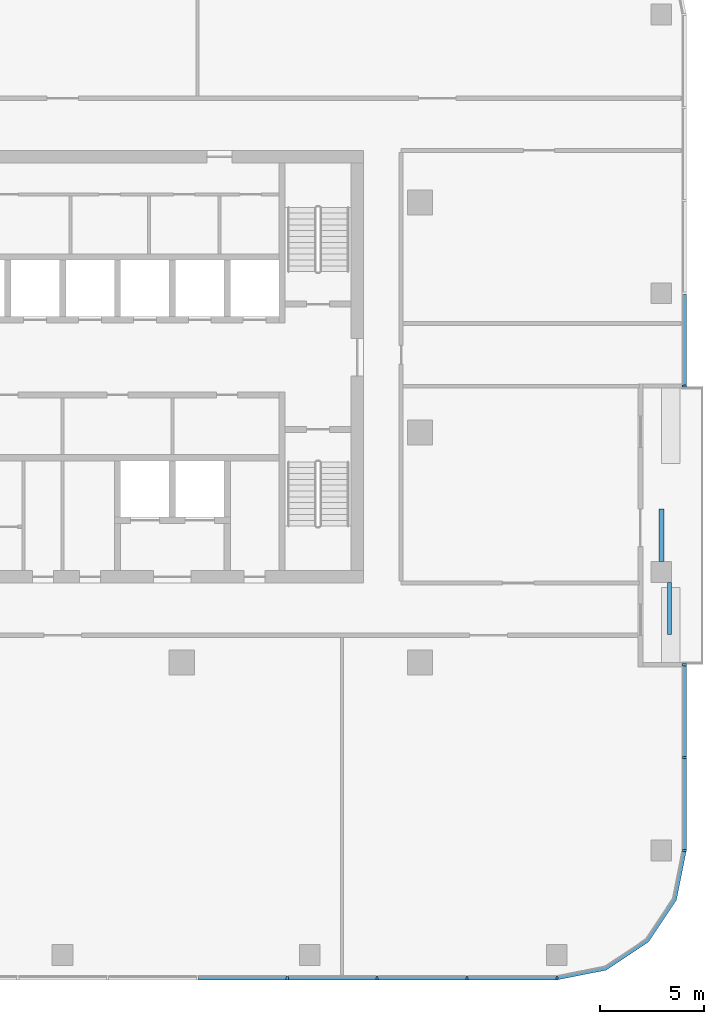
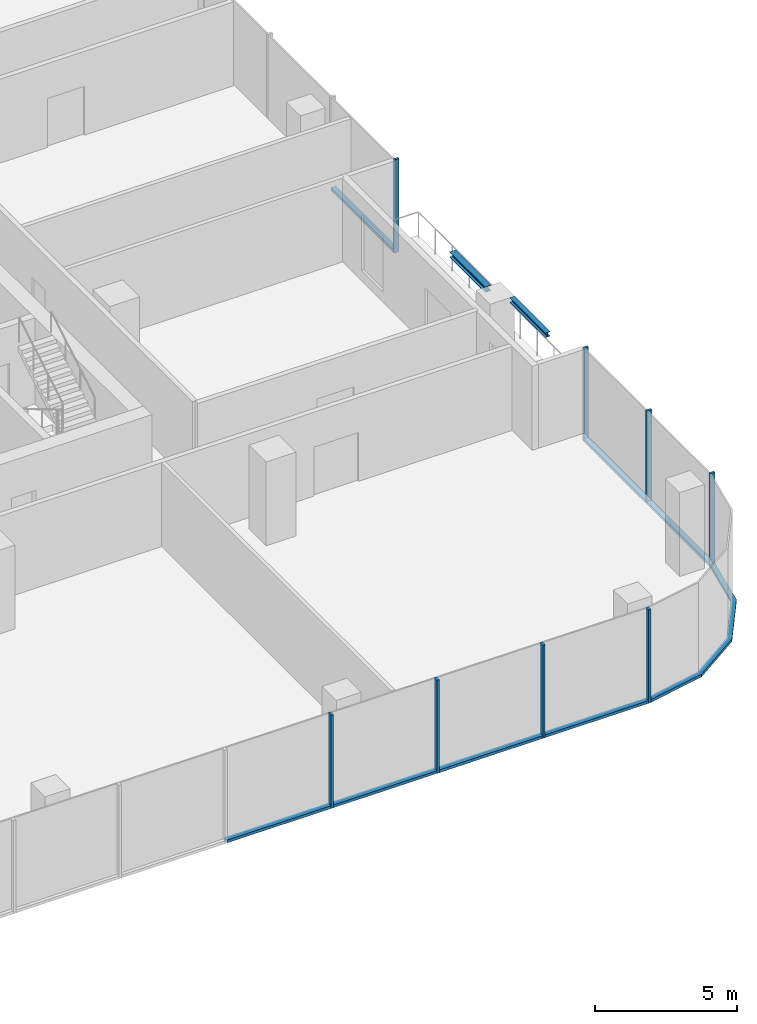
# One storey, part 3 of 13: 16 members, 2 beams, 4 elements without a shape of their own.
"""IFC4 building model written with IfcOpenShell, lengths in metres."""

from ifc_helpers import new_model, si_unit, direction, frame, origin, origin_2d, place, context, subcontext, project, spatial, polyline, rectangle, i_section, outline, extrude, material, material_profile, profile_set, type_object, element, aggregate, save


model = new_model("IFC4")

# Units and contexts
model_context = context("Model", 3, precision=1e-05, world=origin(), true_north=direction((0.0, 1.0)))
body_context = subcontext(model_context, "Body", "Model", "MODEL_VIEW")
ifc_project = project(units=[si_unit("LENGTHUNIT", "METRE"), si_unit("AREAUNIT", "SQUARE_METRE"), si_unit("VOLUMEUNIT", "CUBIC_METRE"), si_unit("PLANEANGLEUNIT", "RADIAN"), si_unit("MASSUNIT", "GRAM", prefix="KILO")], contexts=[model_context])

# Site, building, storey
site_placement = place(None, origin())
site = spatial("IfcSite", under=ifc_project, at=site_placement, CompositionType="ELEMENT")
building_placement = place(site_placement, origin())
building = spatial("IfcBuilding", under=site, at=building_placement, Name="Mopane Tessera Tower", CompositionType="ELEMENT")
storey_placement = place(building_placement, frame((0.0, 0.0, 271.39990234375)))
storey = spatial("IfcBuildingStorey", under=building, at=storey_placement, Name="L58", CompositionType="ELEMENT", Elevation=271.39990234375)

# Curtain wall, members
ifc_material_1 = material(Name="Aluminium frame", Category="aluminium")
curtain_wall_type = type_object("IfcCurtainWallType", Name="Unitised curtain wall", PredefinedType="NOTDEFINED", material=ifc_material_1)
curtain_wall_1_placement = place(storey_placement, origin())
curtain_wall_1 = element("IfcCurtainWall", 1, at=curtain_wall_1_placement, inside=storey, type_object=curtain_wall_type, Name="e:cw:L58:S:0", PredefinedType="NOTDEFINED")
ifc_material_2 = material(Name="Aluminium frame", Category="aluminium")
ifc_material_profile_1 = material_profile(ifc_material_2, rectangle(XDim=0.10009765625, YDim=0.199951171875, at=origin_2d()))
ifc_profile_set_1 = profile_set([ifc_material_profile_1], Name="Aluminium frame")
member_type_1 = type_object("IfcMemberType", Name="Aluminium mullion 100 x 200", PredefinedType="MULLION", material=ifc_profile_set_1)
member_1_placement = place(storey_placement, frame((10.75, -26.10009765625, -0.39990234375), z_axis=(0.0, 0.0, 1.0), x_axis=(1.0, 0.0, 0.0)))
member_1 = element("IfcMember", 2, at=member_1_placement, type_object=member_type_1, Name="e:cw:L58:S:0:mu8", PredefinedType="MULLION", context=body_context, shape_type="SweptSolid", body=[
    extrude(rectangle(XDim=0.10009765625, YDim=0.199951171875, at=origin_2d()), origin(), (0.0, 0.0, 1.0), 4.0),
])
member_2_placement = place(storey_placement, frame((15.050048828125, -26.10009765625, -0.39990234375), z_axis=(0.0, 0.0, 1.0), x_axis=(1.0, 0.0, 0.0)))
member_2 = element("IfcMember", 3, at=member_2_placement, type_object=member_type_1, Name="e:cw:L58:S:0:mu9", PredefinedType="MULLION", context=body_context, shape_type="SweptSolid", body=[
    extrude(rectangle(XDim=0.10009765625, YDim=0.199951171875, at=origin_2d()), origin(), (0.0, 0.0, 1.0), 4.0),
])
member_3_placement = place(storey_placement, frame((19.35009765625, -26.10009765625, -0.39990234375), z_axis=(0.0, 0.0, 1.0), x_axis=(1.0, 0.0, 0.0)))
member_3 = element("IfcMember", 4, at=member_3_placement, type_object=member_type_1, Name="e:cw:L58:S:0:mu10", PredefinedType="MULLION", context=body_context, shape_type="SweptSolid", body=[
    extrude(rectangle(XDim=0.10009765625, YDim=0.199951171875, at=origin_2d()), origin(), (0.0, 0.0, 1.0), 4.0),
])
member_4_placement = place(storey_placement, frame((23.64990234375, -26.10009765625, -0.39990234375), z_axis=(0.0, 0.0, 1.0), x_axis=(1.0, 0.0, 0.0)))
member_4 = element("IfcMember", 5, at=member_4_placement, type_object=member_type_1, Name="e:cw:L58:S:0:mu11", PredefinedType="MULLION", context=body_context, shape_type="SweptSolid", body=[
    extrude(rectangle(XDim=0.10009765625, YDim=0.199951171875, at=origin_2d()), origin(), (0.0, 0.0, 1.0), 4.0),
])

curtain_wall_2_placement = place(storey_placement, origin())
curtain_wall_2 = element("IfcCurtainWall", 6, at=curtain_wall_2_placement, inside=storey, type_object=curtain_wall_type, Name="e:cw:L58:E:0", PredefinedType="NOTDEFINED")
member_5_placement = place(storey_placement, frame((29.75, -20.0, -0.39990234375), z_axis=(0.0, 0.0, 1.0), x_axis=(0.0, 1.0, 0.0)))
member_5 = element("IfcMember", 7, at=member_5_placement, type_object=member_type_1, Name="e:cw:L58:E:0:mu0", PredefinedType="MULLION", context=body_context, shape_type="SweptSolid", body=[
    extrude(rectangle(XDim=0.10009765625, YDim=0.199951171875, at=origin_2d()), origin(), (0.0, 0.0, 1.0), 4.0),
])
member_6_placement = place(storey_placement, frame((29.75, -15.5556640625, -0.39990234375), z_axis=(0.0, 0.0, 1.0), x_axis=(0.0, 1.0, 0.0)))
member_6 = element("IfcMember", 8, at=member_6_placement, type_object=member_type_1, Name="e:cw:L58:E:0:mu1", PredefinedType="MULLION", context=body_context, shape_type="SweptSolid", body=[
    extrude(rectangle(XDim=0.10009765625, YDim=0.199951171875, at=origin_2d()), origin(), (0.0, 0.0, 1.0), 4.0),
])
member_7_placement = place(storey_placement, frame((29.75, -11.111083984375, -0.39990234375), z_axis=(0.0, 0.0, 1.0), x_axis=(0.0, 1.0, 0.0)))
member_7 = element("IfcMember", 9, at=member_7_placement, type_object=member_type_1, Name="e:cw:L58:E:0:mu2", PredefinedType="MULLION", context=body_context, shape_type="SweptSolid", body=[
    extrude(rectangle(XDim=0.10009765625, YDim=0.199951171875, at=origin_2d()), origin(), (0.0, 0.0, 1.0), 4.0),
])

# Curtain wall, member
curtain_wall_3_placement = place(storey_placement, origin())
curtain_wall_3 = element("IfcCurtainWall", 10, at=curtain_wall_3_placement, inside=storey, type_object=curtain_wall_type, Name="e:cw:L58:E:5", PredefinedType="NOTDEFINED")
member_8_placement = place(storey_placement, frame((29.75, 2.22216796875, -0.39990234375), z_axis=(0.0, 0.0, 1.0), x_axis=(0.0, 1.0, 0.0)))
member_8 = element("IfcMember", 11, at=member_8_placement, type_object=member_type_1, Name="e:cw:L58:E:5:mu5", PredefinedType="MULLION", context=body_context, shape_type="SweptSolid", body=[
    extrude(rectangle(XDim=0.10009765625, YDim=0.199951171875, at=origin_2d()), origin(), (0.0, 0.0, 1.0), 4.0),
])

# Member
ifc_material_3 = material(Name="Aluminium frame", Category="aluminium")
ifc_material_profile_2 = material_profile(ifc_material_3, rectangle(XDim=0.199951171875, YDim=0.1201171875, at=origin_2d()))
ifc_profile_set_2 = profile_set([ifc_material_profile_2], Name="Aluminium frame")
member_type_2 = type_object("IfcMemberType", Name="Aluminium transom 200 x 120", PredefinedType="USERDEFINED", material=ifc_profile_set_2)
member_9_placement = place(storey_placement, frame((6.5, -26.10009765625, -0.33984375), z_axis=(1.0, 0.0, 0.0), x_axis=(0.0, 1.0, 0.0)))
member_9 = element("IfcMember", 12, at=member_9_placement, type_object=member_type_2, Name="e:cw:L58:S:0:tr7", ObjectType="TRANSOM", PredefinedType="USERDEFINED", context=body_context, shape_type="SweptSolid", body=[
    extrude(rectangle(XDim=0.199951171875, YDim=0.1201171875, at=origin_2d()), origin(), (0.0, 0.0, 1.0), 4.199951171875),
])

member_10_placement = place(storey_placement, frame((10.800048828125, -26.10009765625, -0.33984375), z_axis=(1.0, 0.0, 0.0), x_axis=(0.0, 1.0, 0.0)))
member_10 = element("IfcMember", 13, at=member_10_placement, type_object=member_type_2, Name="e:cw:L58:S:0:tr8", ObjectType="TRANSOM", PredefinedType="USERDEFINED", context=body_context, shape_type="SweptSolid", body=[
    extrude(rectangle(XDim=0.199951171875, YDim=0.1201171875, at=origin_2d()), origin(), (0.0, 0.0, 1.0), 4.199951171875),
])

member_11_placement = place(storey_placement, frame((15.10009765625, -26.10009765625, -0.33984375), z_axis=(1.0, 0.0, 0.0), x_axis=(0.0, 1.0, 0.0)))
member_11 = element("IfcMember", 14, at=member_11_placement, type_object=member_type_2, Name="e:cw:L58:S:0:tr9", ObjectType="TRANSOM", PredefinedType="USERDEFINED", context=body_context, shape_type="SweptSolid", body=[
    extrude(rectangle(XDim=0.199951171875, YDim=0.1201171875, at=origin_2d()), origin(), (0.0, 0.0, 1.0), 4.199951171875),
])

member_12_placement = place(storey_placement, frame((19.39990234375, -26.10009765625, -0.33984375), z_axis=(1.0, 0.0, 0.0), x_axis=(0.0, 1.0, 0.0)))
member_12 = element("IfcMember", 15, at=member_12_placement, type_object=member_type_2, Name="e:cw:L58:S:0:tr10", ObjectType="TRANSOM", PredefinedType="USERDEFINED", context=body_context, shape_type="SweptSolid", body=[
    extrude(rectangle(XDim=0.199951171875, YDim=0.1201171875, at=origin_2d()), origin(), (0.0, 0.0, 1.0), 4.2001953125),
])

aggregate(curtain_wall_1, [member_1, member_2, member_3, member_4, member_9, member_10, member_11, member_12])

# Curtain wall, member
curtain_wall_4_placement = place(storey_placement, origin())
curtain_wall_4 = element("IfcCurtainWall", 16, at=curtain_wall_4_placement, inside=storey, type_object=curtain_wall_type, Name="e:cw:L58:CS", PredefinedType="NOTDEFINED")
member_13_placement = place(storey_placement, frame((0.0, 0.0, -0.39990234375)))
member_13 = element("IfcMember", 17, at=member_13_placement, type_object=member_type_2, Name="e:cw:L58:CS:tr", ObjectType="TRANSOM", PredefinedType="USERDEFINED", context=body_context, shape_type="SweptSolid", body=[
    extrude(outline(polyline([(23.64990234375, -26.0), (25.946044921875, -25.543212890625), (27.892578125, -24.24267578125), (29.193359375, -22.296142578125), (29.64990234375, -20.0), (29.85009765625, -20.0), (29.378173828125, -22.37255859375), (28.0341796875, -24.384033203125), (26.022705078125, -25.72802734375), (23.64990234375, -26.199951171875), (23.64990234375, -26.0)])), origin(), (0.0, 0.0, 1.0), 0.1201171875),
])
aggregate(curtain_wall_4, [member_13])

# Member
member_14_placement = place(storey_placement, frame((29.75, -19.949951171875, -0.33984375), z_axis=(0.0, 1.0, 0.0), x_axis=(-1.0, 0.0, 0.0)))
member_14 = element("IfcMember", 18, at=member_14_placement, type_object=member_type_2, Name="e:cw:L58:E:0:tr0", ObjectType="TRANSOM", PredefinedType="USERDEFINED", context=body_context, shape_type="SweptSolid", body=[
    extrude(rectangle(XDim=0.199951171875, YDim=0.1201171875, at=origin_2d()), origin(), (0.0, 0.0, 1.0), 4.344482421875),
])

member_15_placement = place(storey_placement, frame((29.75, -15.505615234375, -0.33984375), z_axis=(0.0, 1.0, 0.0), x_axis=(-1.0, 0.0, 0.0)))
member_15 = element("IfcMember", 19, at=member_15_placement, type_object=member_type_2, Name="e:cw:L58:E:0:tr1", ObjectType="TRANSOM", PredefinedType="USERDEFINED", context=body_context, shape_type="SweptSolid", body=[
    extrude(rectangle(XDim=0.199951171875, YDim=0.1201171875, at=origin_2d()), origin(), (0.0, 0.0, 1.0), 4.344482421875),
])

aggregate(curtain_wall_2, [member_5, member_6, member_7, member_14, member_15])

member_16_placement = place(storey_placement, frame((29.75, 2.272216796875, -0.33984375), z_axis=(0.0, 1.0, 0.0), x_axis=(-1.0, 0.0, 0.0)))
member_16 = element("IfcMember", 20, at=member_16_placement, type_object=member_type_2, Name="e:cw:L58:E:5:tr5", ObjectType="TRANSOM", PredefinedType="USERDEFINED", context=body_context, shape_type="SweptSolid", body=[
    extrude(rectangle(XDim=0.199951171875, YDim=0.1201171875, at=origin_2d()), origin(), (0.0, 0.0, 1.0), 4.344482421875),
])

aggregate(curtain_wall_3, [member_8, member_16])

# Beams
ifc_material_4 = material(Name="Structural steel S460", Category="steel")
ifc_material_profile_3 = material_profile(ifc_material_4, i_section(OverallWidth=0.239990234375, OverallDepth=0.239990234375, WebThickness=0.010009765625, FlangeThickness=0.01708984375, FilletRadius=0.02099609375, at=origin_2d()))
ifc_profile_set_3 = profile_set([ifc_material_profile_3], Name="Structural steel S460")
beam_type_1 = type_object("IfcBeamType", Name="Terrace spandrel beam HE 240 B", PredefinedType="SPANDREL", material=ifc_profile_set_3)
beam_1_placement = place(storey_placement, frame((28.64990234375, -6.163818359375, 3.47998046875), z_axis=(0.0, 1.0, 0.0), x_axis=(-1.0, 0.0, 0.0)))
element("IfcBeam", 21, at=beam_1_placement, inside=storey, type_object=beam_type_1, Name="Terrace spandrel beam N1 L59", PredefinedType="SPANDREL", context=body_context, shape_type="SweptSolid", body=[
    extrude(i_section(OverallWidth=0.239990234375, OverallDepth=0.239990234375, WebThickness=0.010009765625, FlangeThickness=0.01708984375, FilletRadius=0.02099609375, at=origin_2d()), origin(), (0.0, 0.0, 1.0), 2.5),
])
ifc_material_5 = material(Name="Structural steel S460", Category="steel")
ifc_material_profile_4 = material_profile(ifc_material_5, i_section(OverallWidth=0.199951171875, OverallDepth=0.199951171875, WebThickness=0.009033203125, FlangeThickness=0.014892578125, FilletRadius=0.01806640625, at=origin_2d()))
ifc_profile_set_4 = profile_set([ifc_material_profile_4], Name="Structural steel S460")
beam_type_2 = type_object("IfcBeamType", Name="Terrace trimmer beam HE 200 B", PredefinedType="BEAM", material=ifc_profile_set_4)
beam_2_placement = place(storey_placement, frame((29.0498046875, -7.169677734375, 3.5), z_axis=(0.0, -1.0, 0.0), x_axis=(1.0, 0.0, 0.0)))
element("IfcBeam", 22, at=beam_2_placement, inside=storey, type_object=beam_type_2, Name="Terrace trimmer beam N1 L59", PredefinedType="BEAM", context=body_context, shape_type="SweptSolid", body=[
    extrude(i_section(OverallWidth=0.199951171875, OverallDepth=0.199951171875, WebThickness=0.009033203125, FlangeThickness=0.014892578125, FilletRadius=0.01806640625, at=origin_2d()), origin(), (0.0, 0.0, 1.0), 2.5),
])

save(model, "model.ifc")
